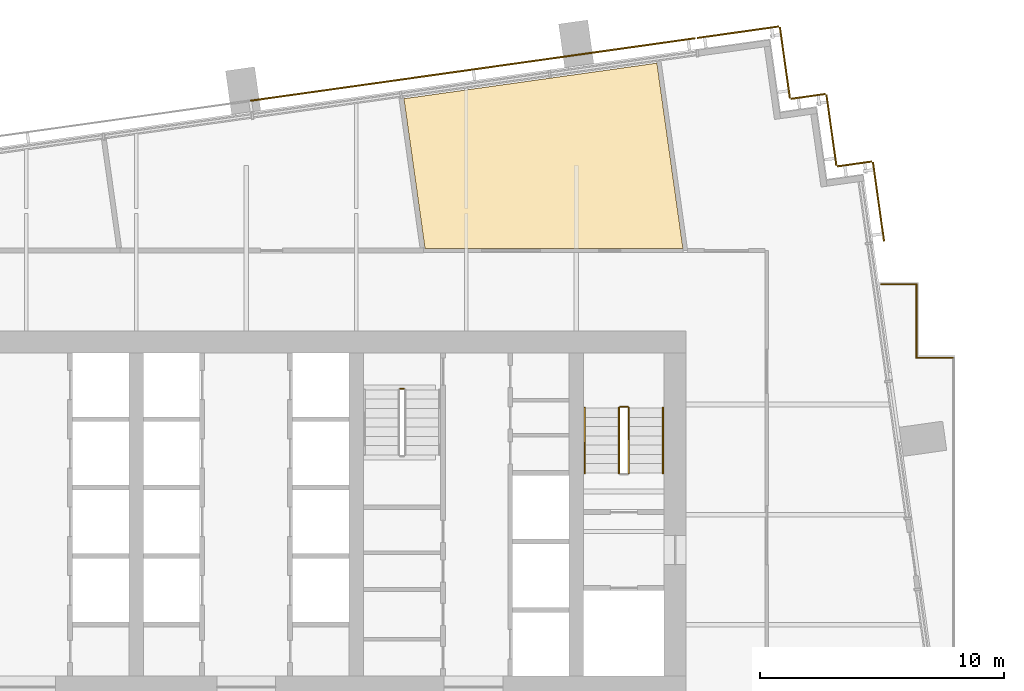
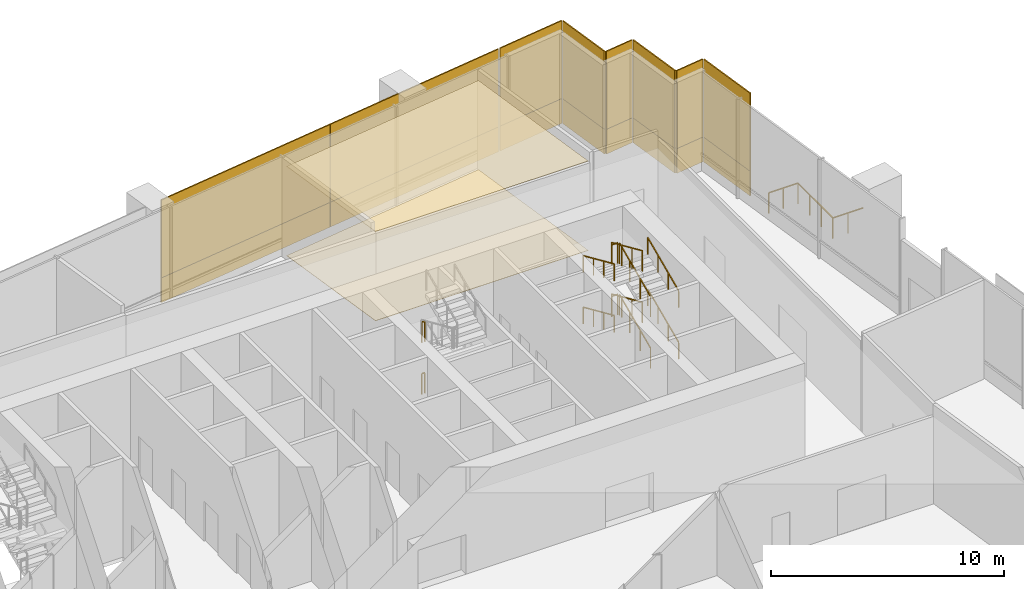
# One storey, part 17 of 17: 18 coverings, 15 railings.
"""IFC4 building model written with IfcOpenShell, lengths in metres."""

import ifcopenshell
import ifcopenshell.guid

model = None  # the IFC model being written
_history = None  # IfcOwnerHistory: only IFC2X3 demands one
_inside = {}  # id of a spatial element -> (the spatial element, [elements in it])
_under = {}  # id of a project, library or spatial element -> (it, [spatial elements below it])
_declared = {}  # id of a project -> (the project, [libraries it declares])
_typed = {}  # id of a type object -> (the type object, [elements of that type])
_made_of = {}  # id of a material, layer set ... -> (it, [elements and type objects made of it])


def new_model(schema):
    """Start an empty IFC model of exactly this schema.

    Asked for "IFC4X3", IfcOpenShell would pick the latest addendum, in which some entities
    have other attributes; the version numbers below select the first issue.
    IFC2X3 requires an IfcOwnerHistory on every rooted entity: one is made here for all.
    """
    global model, _history
    if schema == "IFC4X3":
        model = ifcopenshell.file(schema_version=(4, 3, 0, 0))
    else:
        model = ifcopenshell.file(schema=schema)
    _inside.clear()
    _under.clear()
    _declared.clear()
    _typed.clear()
    _made_of.clear()
    _history = None
    if model.schema == "IFC2X3":
        org = make("IfcOrganization", Name="unknown")
        user = make(
            "IfcPersonAndOrganization",
            ThePerson=make("IfcPerson", FamilyName="unknown"),
            TheOrganization=org,
        )
        app = make(
            "IfcApplication",
            ApplicationDeveloper=org,
            Version="unknown",
            ApplicationFullName="unknown",
            ApplicationIdentifier="unknown",
        )
        _history = make(
            "IfcOwnerHistory",
            OwningUser=user,
            OwningApplication=app,
            ChangeAction="ADDED",
            CreationDate=0,
        )
    return model


def make(cls, **values):
    """One entity of the class cls with the attributes given. An attribute that is None is left unset."""
    return model.create_entity(
        cls, **{name: value for name, value in values.items() if value is not None}
    )


def rooted(cls, **values):
    """An entity with a GlobalId (a new one), such as an element, a storey or a relation."""
    return make(cls, GlobalId=ifcopenshell.guid.new(), OwnerHistory=_history, **values)


def si_unit(unit_type, name, prefix=None):
    """IfcSIUnit, for example si_unit("LENGTHUNIT", "METRE", prefix="MILLI")."""
    return make("IfcSIUnit", UnitType=unit_type, Prefix=prefix, Name=name)


def assignment(units):
    """IfcUnitAssignment: the units of a project."""
    return None if units is None else make("IfcUnitAssignment", Units=units)


def point(xyz):
    """IfcCartesianPoint."""
    return None if xyz is None else make("IfcCartesianPoint", Coordinates=xyz)


def direction(xyz):
    """IfcDirection."""
    return None if xyz is None else make("IfcDirection", DirectionRatios=xyz)


def frame(location, z_axis=None, x_axis=None):
    """IfcAxis2Placement3D, a coordinate frame: its origin and axes. An axis left out is left unset."""
    return make(
        "IfcAxis2Placement3D",
        Location=point(location),
        Axis=direction(z_axis),
        RefDirection=direction(x_axis),
    )


def frame_2d(location, x_axis=None):
    """IfcAxis2Placement2D, a coordinate frame in the plane: its origin and x axis."""
    return make(
        "IfcAxis2Placement2D", Location=point(location), RefDirection=direction(x_axis)
    )


def origin():
    """The frame at (0, 0, 0) with its axes left unset."""
    return frame((0.0, 0.0, 0.0))


def origin_2d():
    """The frame at (0, 0) in the plane with its x axis left unset."""
    return frame_2d((0.0, 0.0))


def place(relative_to, where):
    """IfcLocalPlacement: puts the frame where relative to a parent placement (None: the world)."""
    return make(
        "IfcLocalPlacement", PlacementRelTo=relative_to, RelativePlacement=where
    )


def context(
    kind, dimensions, precision=None, world=None, true_north=None, identifier=None
):
    """IfcGeometricRepresentationContext, for example the 3D "Model" context."""
    return make(
        "IfcGeometricRepresentationContext",
        ContextIdentifier=identifier,
        ContextType=kind,
        CoordinateSpaceDimension=dimensions,
        Precision=precision,
        WorldCoordinateSystem=world,
        TrueNorth=true_north,
    )


def subcontext(parent, identifier, kind, view, scale=None):
    """IfcGeometricRepresentationSubContext, for example "Body" below "Model"."""
    return make(
        "IfcGeometricRepresentationSubContext",
        ContextIdentifier=identifier,
        ContextType=kind,
        ParentContext=parent,
        TargetScale=scale,
        TargetView=view,
    )


def project(units=None, contexts=None):
    """IfcProject with its units and contexts."""
    return rooted(
        "IfcProject",
        Name="project",
        RepresentationContexts=contexts,
        UnitsInContext=assignment(units),
    )


def spatial(cls, under=None, at=None, **own):
    """A site, building, storey or space (cls), placed at a placement, below another one or the project."""
    s = rooted(cls, ObjectPlacement=at, **own)
    if under is not None:
        _under.setdefault(under.id(), (under, []))[1].append(s)
    return s


def polyline(points):
    """IfcPolyline through the points."""
    return make("IfcPolyline", Points=[point(p) for p in points])


def profile(cls, at=None, kind="AREA", **sizes):
    """A parametric profile (cls). Its sizes go by their IFC names, for example OverallWidth=200.0."""
    return make(cls, ProfileType=kind, Position=at, **sizes)


def rectangle(**sizes):
    """IfcRectangleProfileDef."""
    return profile("IfcRectangleProfileDef", **sizes)


def outline(outer, holes=None, kind="AREA"):
    """IfcArbitraryClosedProfileDef: a profile drawn as a closed curve; with holes, ...WithVoids."""
    if holes is None:
        return make("IfcArbitraryClosedProfileDef", ProfileType=kind, OuterCurve=outer)
    return make(
        "IfcArbitraryProfileDefWithVoids",
        ProfileType=kind,
        OuterCurve=outer,
        InnerCurves=holes,
    )


def extrude(swept, where, along, depth):
    """IfcExtrudedAreaSolid: the profile swept, set in the frame where, extruded along a direction by depth."""
    return make(
        "IfcExtrudedAreaSolid",
        SweptArea=swept,
        Position=where,
        ExtrudedDirection=direction(along),
        Depth=depth,
    )


def shape(context_of_items, identifier, shape_type, items):
    """IfcShapeRepresentation: the items that make up one representation, for example the "Body"."""
    return make(
        "IfcShapeRepresentation",
        ContextOfItems=context_of_items,
        RepresentationIdentifier=identifier,
        RepresentationType=shape_type,
        Items=items,
    )


def material(Name=None, Category=None):
    """IfcMaterial."""
    return make("IfcMaterial", Name=Name, Category=Category)


def layer(
    of_material, thickness, ventilated=None, Name=None, Category=None, Priority=None
):
    """IfcMaterialLayer: one layer of a wall or slab, of a material (None: an air gap)."""
    return make(
        "IfcMaterialLayer",
        Material=of_material,
        LayerThickness=thickness,
        IsVentilated=ventilated,
        Name=Name,
        Category=Category,
        Priority=Priority,
    )


def layer_set(layers, Name=None):
    """IfcMaterialLayerSet."""
    return make("IfcMaterialLayerSet", MaterialLayers=layers, LayerSetName=Name)


def made_of(thing, what):
    """Note that an element or type object is made of a material, layer set ...; save() writes the relation."""
    if what is not None:
        _made_of.setdefault(what.id(), (what, []))[1].append(thing)
    return thing


def type_object(cls, material=None, **own):
    """A type object (cls), such as IfcWallType, which elements share."""
    return made_of(rooted(cls, **own), material)


def element(
    cls,
    number,
    at=None,
    inside=None,
    cuts=None,
    type_object=None,
    material=None,
    context=None,
    identifier="Body",
    shape_type=None,
    held_by="IfcProductDefinitionShape",
    body=None,
    shapes=None,
    **own,
):
    """One element of the class cls, such as IfcWall. Its Tag is "e" and its number.

    at: its placement. inside: the storey or other place that contains it. cuts: it is an
    opening in that element (IfcRelVoidsElement). A single representation is given by context,
    identifier, shape_type and body (its items); several are given by shapes. held_by: the class
    of the entity that holds the representations. save() writes the other relations.
    """
    e = rooted(cls, Tag="e%d" % number, ObjectPlacement=at, **own)
    if body is not None:
        shapes = [shape(context, identifier, shape_type, body)]
    if shapes is not None:
        e.Representation = make(held_by, Representations=shapes)
    if inside is not None:
        _inside.setdefault(inside.id(), (inside, []))[1].append(e)
    if cuts is not None:
        rooted(
            "IfcRelVoidsElement", RelatingBuildingElement=cuts, RelatedOpeningElement=e
        )
    if type_object is not None:
        _typed.setdefault(type_object.id(), (type_object, []))[1].append(e)
    return made_of(e, material)


def aggregate(whole, parts):
    """IfcRelAggregates: a whole, such as a stair, and the parts it consists of."""
    return rooted("IfcRelAggregates", RelatingObject=whole, RelatedObjects=parts)


def save(model, path):
    """Write the relations noted so far, then the file.

    IfcRelAggregates (storeys below a building ...), IfcRelContainedInSpatialStructure (elements
    in a storey), IfcRelDefinesByType, IfcRelAssociatesMaterial and IfcRelDeclares: one each for
    every whole, place, type object, material and project.
    """
    for whole, parts in _under.values():
        aggregate(whole, parts)
    for where, things in _inside.values():
        rooted(
            "IfcRelContainedInSpatialStructure",
            RelatedElements=things,
            RelatingStructure=where,
        )
    for kind, things in _typed.values():
        rooted("IfcRelDefinesByType", RelatedObjects=things, RelatingType=kind)
    for what, things in _made_of.values():
        rooted("IfcRelAssociatesMaterial", RelatedObjects=things, RelatingMaterial=what)
    for by, libraries in _declared.values():
        rooted("IfcRelDeclares", RelatingContext=by, RelatedDefinitions=libraries)
    model.write(path)


model = new_model("IFC4")

# Units and contexts
model_context = context("Model", 3, precision=1e-05, world=origin(), true_north=direction((0.0, 1.0)))
body_context = subcontext(model_context, "Body", "Model", "MODEL_VIEW")
ifc_project = project(units=[si_unit("LENGTHUNIT", "METRE"), si_unit("AREAUNIT", "SQUARE_METRE"), si_unit("VOLUMEUNIT", "CUBIC_METRE"), si_unit("PLANEANGLEUNIT", "RADIAN"), si_unit("MASSUNIT", "GRAM", prefix="KILO")], contexts=[model_context])

# Site, building, storey
site_placement = place(None, origin())
site = spatial("IfcSite", under=ifc_project, at=site_placement, CompositionType="ELEMENT")
building_placement = place(site_placement, origin())
building = spatial("IfcBuilding", under=site, at=building_placement, Name="Rattan Terrace Tower", CompositionType="ELEMENT")
storey_placement = place(building_placement, frame((0.0, 0.0, 163.10009765625)))
storey = spatial("IfcBuildingStorey", under=building, at=storey_placement, Name="L37", CompositionType="ELEMENT", Elevation=163.10009765625)

# Railings
ifc_material_1 = material(Name="Powder-coated steel guard", Category="steel")
railing_type_1 = type_object("IfcRailingType", Name="Core stair guard", PredefinedType="GUARDRAIL", material=ifc_material_1)
railing_1_placement = place(storey_placement, frame((15.64990234375, 1.699951171875, 0.168701171875)))
element("IfcRailing", 1, at=railing_1_placement, inside=storey, type_object=railing_type_1, Name="L37 S2 stair guard 1", PredefinedType="GUARDRAIL", context=body_context, shape_type="SweptSolid", body=[
    extrude(rectangle(XDim=0.048095703125, YDim=0.048095703125, at=origin_2d()), frame((0.0, 0.0, 1.076171875), z_axis=(0.0, 0.913956766905, 0.405811567391), x_axis=(-1.0, 0.0, 0.0)), (0.0, 0.0, 1.0), 2.91064453125),
    extrude(rectangle(XDim=0.0419921875, YDim=0.0419921875, at=origin_2d()), origin(), (0.0, 0.0, 1.0), 1.052001953125),
    extrude(rectangle(XDim=0.0419921875, YDim=0.0419921875, at=origin_2d()), frame((0.0, 0.88671875, 0.393798828125)), (0.0, 0.0, 1.0), 1.052001953125),
    extrude(rectangle(XDim=0.0419921875, YDim=0.0419921875, at=origin_2d()), frame((0.0, 1.7734375, 0.787353515625)), (0.0, 0.0, 1.0), 1.052001953125),
    extrude(rectangle(XDim=0.0419921875, YDim=0.0419921875, at=origin_2d()), frame((0.0, 2.66015625, 1.18115234375)), (0.0, 0.0, 1.0), 1.052001953125),
])
railing_2_placement = place(storey_placement, frame((15.60009765625, 4.409912109375, 1.349853515625)))
element("IfcRailing", 2, at=railing_2_placement, inside=storey, type_object=railing_type_1, Name="L37 S2 stair guard 2", PredefinedType="GUARDRAIL", context=body_context, shape_type="SweptSolid", body=[
    extrude(rectangle(XDim=0.048095703125, YDim=0.048095703125, at=origin_2d()), frame((0.0, 0.0, 1.076171875), z_axis=(-1.0, 0.0, 0.0), x_axis=(0.0, -1.0, 0.0)), (0.0, 0.0, 1.0), 0.300048828125),
    extrude(rectangle(XDim=0.0419921875, YDim=0.0419921875, at=origin_2d()), origin(), (0.0, 0.0, 1.0), 1.052001953125),
    extrude(rectangle(XDim=0.0419921875, YDim=0.0419921875, at=origin_2d()), frame((-0.300048828125, 0.0, 0.0)), (0.0, 0.0, 1.0), 1.052001953125),
])
railing_3_placement = place(storey_placement, frame((15.25, 4.360107421875, 1.5185546875)))
element("IfcRailing", 3, at=railing_3_placement, inside=storey, type_object=railing_type_1, Name="L37 S2 stair guard 3", PredefinedType="GUARDRAIL", context=body_context, shape_type="SweptSolid", body=[
    extrude(rectangle(XDim=0.048095703125, YDim=0.048095703125, at=origin_2d()), frame((0.0, 0.0, 1.076171875), z_axis=(0.0, -0.913925654661, 0.405881630223), x_axis=(1.0, 0.0, 0.0)), (0.0, 0.0, 1.0), 2.91064453125),
    extrude(rectangle(XDim=0.0419921875, YDim=0.0419921875, at=origin_2d()), origin(), (0.0, 0.0, 1.0), 1.052001953125),
    extrude(rectangle(XDim=0.0419921875, YDim=0.0419921875, at=origin_2d()), frame((0.0, -0.88671875, 0.393798828125)), (0.0, 0.0, 1.0), 1.052001953125),
    extrude(rectangle(XDim=0.0419921875, YDim=0.0419921875, at=origin_2d()), frame((0.0, -1.7734375, 0.78759765625)), (0.0, 0.0, 1.0), 1.052001953125),
    extrude(rectangle(XDim=0.0419921875, YDim=0.0419921875, at=origin_2d()), frame((0.0, -2.66015625, 1.181396484375)), (0.0, 0.0, 1.0), 1.052001953125),
])
railing_4_placement = place(storey_placement, frame((15.64990234375, 1.699951171875, 2.86865234375)))
element("IfcRailing", 4, at=railing_4_placement, inside=storey, type_object=railing_type_1, Name="L37 S2 stair guard 5", PredefinedType="GUARDRAIL", context=body_context, shape_type="SweptSolid", body=[
    extrude(rectangle(XDim=0.048095703125, YDim=0.048095703125, at=origin_2d()), frame((0.0, 0.0, 1.076171875), z_axis=(0.0, 0.913956766905, 0.405811567391), x_axis=(-1.0, 0.0, 0.0)), (0.0, 0.0, 1.0), 2.91064453125),
    extrude(rectangle(XDim=0.0419921875, YDim=0.0419921875, at=origin_2d()), origin(), (0.0, 0.0, 1.0), 1.052001953125),
    extrude(rectangle(XDim=0.0419921875, YDim=0.0419921875, at=origin_2d()), frame((0.0, 0.88671875, 0.393798828125)), (0.0, 0.0, 1.0), 1.052001953125),
    extrude(rectangle(XDim=0.0419921875, YDim=0.0419921875, at=origin_2d()), frame((0.0, 1.7734375, 0.787353515625)), (0.0, 0.0, 1.0), 1.052001953125),
    extrude(rectangle(XDim=0.0419921875, YDim=0.0419921875, at=origin_2d()), frame((0.0, 2.66015625, 1.18115234375)), (0.0, 0.0, 1.0), 1.052001953125),
])
railing_5_placement = place(storey_placement, frame((15.60009765625, 4.409912109375, 4.0498046875)))
element("IfcRailing", 5, at=railing_5_placement, inside=storey, type_object=railing_type_1, Name="L37 S2 stair guard 6", PredefinedType="GUARDRAIL", context=body_context, shape_type="SweptSolid", body=[
    extrude(rectangle(XDim=0.048095703125, YDim=0.048095703125, at=origin_2d()), frame((0.0, 0.0, 1.076171875), z_axis=(-1.0, 0.0, 0.0), x_axis=(0.0, -1.0, 0.0)), (0.0, 0.0, 1.0), 0.300048828125),
    extrude(rectangle(XDim=0.0419921875, YDim=0.0419921875, at=origin_2d()), origin(), (0.0, 0.0, 1.0), 1.052001953125),
    extrude(rectangle(XDim=0.0419921875, YDim=0.0419921875, at=origin_2d()), frame((-0.300048828125, 0.0, 0.0)), (0.0, 0.0, 1.0), 1.052001953125),
])
railing_6_placement = place(storey_placement, frame((15.25, 4.360107421875, 4.21875)))
element("IfcRailing", 6, at=railing_6_placement, inside=storey, type_object=railing_type_1, Name="L37 S2 stair guard 7", PredefinedType="GUARDRAIL", context=body_context, shape_type="SweptSolid", body=[
    extrude(rectangle(XDim=0.048095703125, YDim=0.048095703125, at=origin_2d()), frame((0.0, 0.0, 1.076171875), z_axis=(0.0, -0.913956766905, 0.405811567391), x_axis=(1.0, 0.0, 0.0)), (0.0, 0.0, 1.0), 2.91064453125),
    extrude(rectangle(XDim=0.0419921875, YDim=0.0419921875, at=origin_2d()), origin(), (0.0, 0.0, 1.0), 1.052001953125),
    extrude(rectangle(XDim=0.0419921875, YDim=0.0419921875, at=origin_2d()), frame((0.0, -0.88671875, 0.393798828125)), (0.0, 0.0, 1.0), 1.052001953125),
    extrude(rectangle(XDim=0.0419921875, YDim=0.0419921875, at=origin_2d()), frame((0.0, -1.7734375, 0.787353515625)), (0.0, 0.0, 1.0), 1.052001953125),
    extrude(rectangle(XDim=0.0419921875, YDim=0.0419921875, at=origin_2d()), frame((0.0, -2.66015625, 1.18115234375)), (0.0, 0.0, 1.0), 1.052001953125),
])
for number, where, name in (
    (7, (6.300048828125, 5.14990234375, 2.699951171875), "L37 S3 stair guard 4"),
    (8, (6.300048828125, 5.14990234375, 0.0), "L37 S3 stair guard 8"),
):
    element("IfcRailing", number, at=place(storey_placement, frame(where)), inside=storey, type_object=railing_type_1, Name=name, PredefinedType="GUARDRAIL", context=body_context, shape_type="SweptSolid", body=[
        extrude(rectangle(XDim=0.048095703125, YDim=0.048095703125, at=origin_2d()), frame((0.0, 0.0, 1.076171875), z_axis=(1.0, 0.0, 0.0), x_axis=(0.0, 1.0, 0.0)), (0.0, 0.0, 1.0), 0.14990234375),
        extrude(rectangle(XDim=0.0419921875, YDim=0.0419921875, at=origin_2d()), origin(), (0.0, 0.0, 1.0), 1.052001953125),
        extrude(rectangle(XDim=0.0419921875, YDim=0.0419921875, at=origin_2d()), frame((0.14990234375, 0.0, 0.0)), (0.0, 0.0, 1.0), 1.052001953125),
    ])
ifc_material_2 = material(Name="Powder-coated steel handrail", Category="steel")
railing_type_2 = type_object("IfcRailingType", Name="Core stair handrail", PredefinedType="HANDRAIL", material=ifc_material_2)
railing_7_placement = place(storey_placement, frame((17.050048828125, 1.699951171875, 0.168701171875)))
element("IfcRailing", 9, at=railing_7_placement, inside=storey, type_object=railing_type_2, Name="L37 S2 stair handrail 1", PredefinedType="HANDRAIL", context=body_context, shape_type="SweptSolid", body=[
    extrude(rectangle(XDim=0.048095703125, YDim=0.048095703125, at=origin_2d()), frame((0.0, 0.0, 0.8759765625), z_axis=(0.0, 0.913956766905, 0.405811567391), x_axis=(-1.0, 0.0, 0.0)), (0.0, 0.0, 1.0), 2.91064453125),
    extrude(rectangle(XDim=0.0419921875, YDim=0.0419921875, at=origin_2d()), origin(), (0.0, 0.0, 1.0), 0.851806640625),
    extrude(rectangle(XDim=0.0419921875, YDim=0.0419921875, at=origin_2d()), frame((0.0, 0.88671875, 0.393798828125)), (0.0, 0.0, 1.0), 0.851806640625),
    extrude(rectangle(XDim=0.0419921875, YDim=0.0419921875, at=origin_2d()), frame((0.0, 1.7734375, 0.787353515625)), (0.0, 0.0, 1.0), 0.851806640625),
    extrude(rectangle(XDim=0.0419921875, YDim=0.0419921875, at=origin_2d()), frame((0.0, 2.66015625, 1.18115234375)), (0.0, 0.0, 1.0), 0.851806640625),
])
railing_8_placement = place(storey_placement, frame((13.85009765625, 4.360107421875, 1.5185546875)))
element("IfcRailing", 10, at=railing_8_placement, inside=storey, type_object=railing_type_2, Name="L37 S2 stair handrail 2", PredefinedType="HANDRAIL", context=body_context, shape_type="SweptSolid", body=[
    extrude(rectangle(XDim=0.048095703125, YDim=0.048095703125, at=origin_2d()), frame((0.0, 0.0, 0.8759765625), z_axis=(0.0, -0.913925654661, 0.405881630223), x_axis=(1.0, 0.0, 0.0)), (0.0, 0.0, 1.0), 2.91064453125),
    extrude(rectangle(XDim=0.0419921875, YDim=0.0419921875, at=origin_2d()), origin(), (0.0, 0.0, 1.0), 0.851806640625),
    extrude(rectangle(XDim=0.0419921875, YDim=0.0419921875, at=origin_2d()), frame((0.0, -0.88671875, 0.393798828125)), (0.0, 0.0, 1.0), 0.851806640625),
    extrude(rectangle(XDim=0.0419921875, YDim=0.0419921875, at=origin_2d()), frame((0.0, -1.7734375, 0.78759765625)), (0.0, 0.0, 1.0), 0.851806640625),
    extrude(rectangle(XDim=0.0419921875, YDim=0.0419921875, at=origin_2d()), frame((0.0, -2.66015625, 1.181396484375)), (0.0, 0.0, 1.0), 0.851806640625),
])
railing_9_placement = place(storey_placement, frame((17.050048828125, 1.699951171875, 2.86865234375)))
element("IfcRailing", 11, at=railing_9_placement, inside=storey, type_object=railing_type_2, Name="L37 S2 stair handrail 3", PredefinedType="HANDRAIL", context=body_context, shape_type="SweptSolid", body=[
    extrude(rectangle(XDim=0.048095703125, YDim=0.048095703125, at=origin_2d()), frame((0.0, 0.0, 0.8759765625), z_axis=(0.0, 0.913956766905, 0.405811567391), x_axis=(-1.0, 0.0, 0.0)), (0.0, 0.0, 1.0), 2.91064453125),
    extrude(rectangle(XDim=0.0419921875, YDim=0.0419921875, at=origin_2d()), origin(), (0.0, 0.0, 1.0), 0.851806640625),
    extrude(rectangle(XDim=0.0419921875, YDim=0.0419921875, at=origin_2d()), frame((0.0, 0.88671875, 0.393798828125)), (0.0, 0.0, 1.0), 0.851806640625),
    extrude(rectangle(XDim=0.0419921875, YDim=0.0419921875, at=origin_2d()), frame((0.0, 1.7734375, 0.787353515625)), (0.0, 0.0, 1.0), 0.851806640625),
    extrude(rectangle(XDim=0.0419921875, YDim=0.0419921875, at=origin_2d()), frame((0.0, 2.66015625, 1.18115234375)), (0.0, 0.0, 1.0), 0.851806640625),
])
railing_10_placement = place(storey_placement, frame((13.85009765625, 4.360107421875, 4.21875)))
element("IfcRailing", 12, at=railing_10_placement, inside=storey, type_object=railing_type_2, Name="L37 S2 stair handrail 4", PredefinedType="HANDRAIL", context=body_context, shape_type="SweptSolid", body=[
    extrude(rectangle(XDim=0.048095703125, YDim=0.048095703125, at=origin_2d()), frame((0.0, 0.0, 0.8759765625), z_axis=(0.0, -0.913956766905, 0.405811567391), x_axis=(1.0, 0.0, 0.0)), (0.0, 0.0, 1.0), 2.91064453125),
    extrude(rectangle(XDim=0.0419921875, YDim=0.0419921875, at=origin_2d()), origin(), (0.0, 0.0, 1.0), 0.851806640625),
    extrude(rectangle(XDim=0.0419921875, YDim=0.0419921875, at=origin_2d()), frame((0.0, -0.88671875, 0.393798828125)), (0.0, 0.0, 1.0), 0.851806640625),
    extrude(rectangle(XDim=0.0419921875, YDim=0.0419921875, at=origin_2d()), frame((0.0, -1.7734375, 0.787353515625)), (0.0, 0.0, 1.0), 0.851806640625),
    extrude(rectangle(XDim=0.0419921875, YDim=0.0419921875, at=origin_2d()), frame((0.0, -2.66015625, 1.18115234375)), (0.0, 0.0, 1.0), 0.851806640625),
])
ifc_material_3 = material(Name="Stainless steel 316", Category="steel")
railing_type_3 = type_object("IfcRailingType", Name="Facade Guard 1100", PredefinedType="GUARDRAIL", material=ifc_material_3)
railing_11_placement = place(storey_placement, frame((25.969970703125, 9.419921875, 0.0)))
element("IfcRailing", 13, at=railing_11_placement, inside=storey, type_object=railing_type_3, Name="Terrace guard L37-1-1", PredefinedType="GUARDRAIL", context=body_context, shape_type="SweptSolid", body=[
    extrude(rectangle(XDim=0.048095703125, YDim=0.048095703125, at=origin_2d()), frame((0.0, 0.0, 1.076171875), z_axis=(1.0, 0.0, 0.0), x_axis=(0.0, 1.0, 0.0)), (0.0, 0.0, 1.0), 1.449951171875),
    extrude(rectangle(XDim=0.0419921875, YDim=0.0419921875, at=origin_2d()), origin(), (0.0, 0.0, 1.0), 1.052001953125),
    extrude(rectangle(XDim=0.0419921875, YDim=0.0419921875, at=origin_2d()), frame((0.72509765625, 0.0, 0.0)), (0.0, 0.0, 1.0), 1.052001953125),
])
railing_12_placement = place(storey_placement, frame((27.419921875, 9.419921875, 0.0)))
element("IfcRailing", 14, at=railing_12_placement, inside=storey, type_object=railing_type_3, Name="Terrace guard L37-1-2", PredefinedType="GUARDRAIL", context=body_context, shape_type="SweptSolid", body=[
    extrude(rectangle(XDim=0.048095703125, YDim=0.048095703125, at=origin_2d()), frame((0.0, 0.0, 1.076171875), z_axis=(0.0, -1.0, 0.0), x_axis=(1.0, 0.0, 0.0)), (0.0, 0.0, 1.0), 3.0),
    extrude(rectangle(XDim=0.0419921875, YDim=0.0419921875, at=origin_2d()), origin(), (0.0, 0.0, 1.0), 1.052001953125),
    extrude(rectangle(XDim=0.0419921875, YDim=0.0419921875, at=origin_2d()), frame((0.0, -1.0, 0.0)), (0.0, 0.0, 1.0), 1.052001953125),
    extrude(rectangle(XDim=0.0419921875, YDim=0.0419921875, at=origin_2d()), frame((0.0, -2.0, 0.0)), (0.0, 0.0, 1.0), 1.052001953125),
])
railing_13_placement = place(storey_placement, frame((27.419921875, 6.419921875, 0.0)))
element("IfcRailing", 15, at=railing_13_placement, inside=storey, type_object=railing_type_3, Name="Terrace guard L37-1-3", PredefinedType="GUARDRAIL", context=body_context, shape_type="SweptSolid", body=[
    extrude(rectangle(XDim=0.048095703125, YDim=0.048095703125, at=origin_2d()), frame((0.0, 0.0, 1.076171875), z_axis=(1.0, 0.0, 0.0), x_axis=(0.0, 1.0, 0.0)), (0.0, 0.0, 1.0), 1.5),
    extrude(rectangle(XDim=0.0419921875, YDim=0.0419921875, at=origin_2d()), origin(), (0.0, 0.0, 1.0), 1.052001953125),
    extrude(rectangle(XDim=0.0419921875, YDim=0.0419921875, at=origin_2d()), frame((0.75, 0.0, 0.0)), (0.0, 0.0, 1.0), 1.052001953125),
])

# Coverings
ifc_material_4 = material(Name="Solid terracotta", Category="masonry")
ifc_layer_1 = layer(ifc_material_4, 0.06005859375)
ifc_layer_set_1 = layer_set([ifc_layer_1], Name="Facade Terracotta Band Panel")
covering_type_1 = type_object("IfcCoveringType", Name="Facade Terracotta Band Panel", PredefinedType="CLADDING", material=ifc_layer_set_1)
covering_1_placement = place(storey_placement, frame((25.86376953125, 12.79833984375, -0.18994140625), z_axis=(0.0, 0.0, 1.0), x_axis=(-0.139190856006, 0.99026557327, 0.0)))
element("IfcCovering", 16, at=covering_1_placement, inside=storey, type_object=covering_type_1, Name="OUTER SKIN panel L37-3A", PredefinedType="CLADDING", context=body_context, shape_type="SweptSolid", body=[
    extrude(rectangle(XDim=3.25048828125, YDim=0.06005859375, at=origin_2d()), origin(), (0.0, 0.0, 1.0), 1.300048828125),
])
covering_2_placement = place(storey_placement, frame((24.889404296875, 14.3427734375, -0.18994140625), z_axis=(0.0, 0.0, 1.0), x_axis=(-0.990240767803, -0.139367219175, 0.0)))
element("IfcCovering", 17, at=covering_2_placement, inside=storey, type_object=covering_type_1, Name="OUTER SKIN panel L37-4A", PredefinedType="CLADDING", context=body_context, shape_type="SweptSolid", body=[
    extrude(rectangle(XDim=1.419677734375, YDim=0.06005859375, at=origin_2d()), origin(), (0.0, 0.0, 1.0), 1.300048828125),
])
covering_3_placement = place(storey_placement, frame((23.93798828125, 15.723876953125, -0.18994140625), z_axis=(0.0, 0.0, 1.0), x_axis=(-0.139321220646, 0.990247240581, 0.0)))
element("IfcCovering", 18, at=covering_3_placement, inside=storey, type_object=covering_type_1, Name="OUTER SKIN panel L37-5A", PredefinedType="CLADDING", context=body_context, shape_type="SweptSolid", body=[
    extrude(rectangle(XDim=2.920166015625, YDim=0.06005859375, at=origin_2d()), origin(), (0.0, 0.0, 1.0), 1.300048828125),
])
covering_4_placement = place(storey_placement, frame((22.986328125, 17.104736328125, -0.18994140625), z_axis=(0.0, 0.0, 1.0), x_axis=(-0.990240767803, -0.139367219175, 0.0)))
element("IfcCovering", 19, at=covering_4_placement, inside=storey, type_object=covering_type_1, Name="OUTER SKIN panel L37-6A", PredefinedType="CLADDING", context=body_context, shape_type="SweptSolid", body=[
    extrude(rectangle(XDim=1.419677734375, YDim=0.06005859375, at=origin_2d()), origin(), (0.0, 0.0, 1.0), 1.300048828125),
])
covering_5_placement = place(storey_placement, frame((22.034912109375, 18.48583984375, -0.18994140625), z_axis=(0.0, 0.0, 1.0), x_axis=(-0.139321220646, 0.990247240581, 0.0)))
element("IfcCovering", 20, at=covering_5_placement, inside=storey, type_object=covering_type_1, Name="OUTER SKIN panel L37-7A", PredefinedType="CLADDING", context=body_context, shape_type="SweptSolid", body=[
    extrude(rectangle(XDim=2.920166015625, YDim=0.06005859375, at=origin_2d()), origin(), (0.0, 0.0, 1.0), 1.300048828125),
])
covering_6_placement = place(storey_placement, frame((20.1181640625, 19.73095703125, -0.18994140625), z_axis=(0.0, 0.0, 1.0), x_axis=(-0.990240767803, -0.139367219175, 0.0)))
element("IfcCovering", 21, at=covering_6_placement, inside=storey, type_object=covering_type_1, Name="OUTER SKIN panel L37-8A", PredefinedType="CLADDING", context=body_context, shape_type="SweptSolid", body=[
    extrude(rectangle(XDim=3.369140625, YDim=0.06005859375, at=origin_2d()), origin(), (0.0, 0.0, 1.0), 1.300048828125),
])
covering_7_placement = place(storey_placement, frame((13.833740234375, 18.847412109375, -0.18994140625), z_axis=(0.0, 0.0, 1.0), x_axis=(-0.990269702686, -0.139161474347, 0.0)))
element("IfcCovering", 22, at=covering_7_placement, inside=storey, type_object=covering_type_1, Name="OUTER SKIN panel L37-9A", PredefinedType="CLADDING", context=body_context, shape_type="SweptSolid", body=[
    extrude(rectangle(XDim=9.162841796875, YDim=0.06005859375, at=origin_2d()), origin(), (0.0, 0.0, 1.0), 1.300048828125),
])
covering_8_placement = place(storey_placement, frame((4.725341796875, 17.5673828125, -0.18994140625), z_axis=(0.0, 0.0, 1.0), x_axis=(-0.990269702686, -0.139161474347, 0.0)))
element("IfcCovering", 23, at=covering_8_placement, inside=storey, type_object=covering_type_1, Name="OUTER SKIN panel L37-10A", PredefinedType="CLADDING", context=body_context, shape_type="SweptSolid", body=[
    extrude(rectangle(XDim=9.193115234375, YDim=0.06005859375, at=origin_2d()), origin(), (0.0, 0.0, 1.0), 1.300048828125),
])
ifc_material_5 = material(Name="Perforated terracotta", Category="masonry")
ifc_layer_2 = layer(ifc_material_5, 0.06005859375)
ifc_layer_set_2 = layer_set([ifc_layer_2], Name="Facade Terracotta Screen Panel")
covering_type_2 = type_object("IfcCoveringType", Name="Facade Terracotta Screen Panel", PredefinedType="CLADDING", material=ifc_layer_set_2)
covering_9_placement = place(storey_placement, frame((25.86376953125, 12.79833984375, 1.10986328125), z_axis=(0.0, 0.0, 1.0), x_axis=(-0.139190856006, 0.99026557327, 0.0)))
element("IfcCovering", 24, at=covering_9_placement, inside=storey, type_object=covering_type_2, Name="OUTER SKIN panel L37-3B", PredefinedType="CLADDING", context=body_context, shape_type="SweptSolid", body=[
    extrude(rectangle(XDim=3.25048828125, YDim=0.06005859375, at=origin_2d()), origin(), (0.0, 0.0, 1.0), 4.080078125),
])
covering_10_placement = place(storey_placement, frame((24.889404296875, 14.3427734375, 1.10986328125), z_axis=(0.0, 0.0, 1.0), x_axis=(-0.990240767803, -0.139367219175, 0.0)))
element("IfcCovering", 25, at=covering_10_placement, inside=storey, type_object=covering_type_2, Name="OUTER SKIN panel L37-4B", PredefinedType="CLADDING", context=body_context, shape_type="SweptSolid", body=[
    extrude(rectangle(XDim=1.419677734375, YDim=0.06005859375, at=origin_2d()), origin(), (0.0, 0.0, 1.0), 4.080078125),
])
covering_11_placement = place(storey_placement, frame((23.93798828125, 15.723876953125, 1.10986328125), z_axis=(0.0, 0.0, 1.0), x_axis=(-0.139321220646, 0.990247240581, 0.0)))
element("IfcCovering", 26, at=covering_11_placement, inside=storey, type_object=covering_type_2, Name="OUTER SKIN panel L37-5B", PredefinedType="CLADDING", context=body_context, shape_type="SweptSolid", body=[
    extrude(rectangle(XDim=2.920166015625, YDim=0.06005859375, at=origin_2d()), origin(), (0.0, 0.0, 1.0), 4.080078125),
])
covering_12_placement = place(storey_placement, frame((22.986328125, 17.104736328125, 1.10986328125), z_axis=(0.0, 0.0, 1.0), x_axis=(-0.990240767803, -0.139367219175, 0.0)))
element("IfcCovering", 27, at=covering_12_placement, inside=storey, type_object=covering_type_2, Name="OUTER SKIN panel L37-6B", PredefinedType="CLADDING", context=body_context, shape_type="SweptSolid", body=[
    extrude(rectangle(XDim=1.419677734375, YDim=0.06005859375, at=origin_2d()), origin(), (0.0, 0.0, 1.0), 4.080078125),
])
covering_13_placement = place(storey_placement, frame((22.034912109375, 18.48583984375, 1.10986328125), z_axis=(0.0, 0.0, 1.0), x_axis=(-0.139321220646, 0.990247240581, 0.0)))
element("IfcCovering", 28, at=covering_13_placement, inside=storey, type_object=covering_type_2, Name="OUTER SKIN panel L37-7B", PredefinedType="CLADDING", context=body_context, shape_type="SweptSolid", body=[
    extrude(rectangle(XDim=2.920166015625, YDim=0.06005859375, at=origin_2d()), origin(), (0.0, 0.0, 1.0), 4.080078125),
])
covering_14_placement = place(storey_placement, frame((20.1181640625, 19.73095703125, 1.10986328125), z_axis=(0.0, 0.0, 1.0), x_axis=(-0.990240767803, -0.139367219175, 0.0)))
element("IfcCovering", 29, at=covering_14_placement, inside=storey, type_object=covering_type_2, Name="OUTER SKIN panel L37-8B", PredefinedType="CLADDING", context=body_context, shape_type="SweptSolid", body=[
    extrude(rectangle(XDim=3.369140625, YDim=0.06005859375, at=origin_2d()), origin(), (0.0, 0.0, 1.0), 4.080078125),
])
covering_15_placement = place(storey_placement, frame((13.833740234375, 18.847412109375, 1.10986328125), z_axis=(0.0, 0.0, 1.0), x_axis=(-0.990269702686, -0.139161474347, 0.0)))
element("IfcCovering", 30, at=covering_15_placement, inside=storey, type_object=covering_type_2, Name="OUTER SKIN panel L37-9B", PredefinedType="CLADDING", context=body_context, shape_type="SweptSolid", body=[
    extrude(rectangle(XDim=9.162841796875, YDim=0.06005859375, at=origin_2d()), origin(), (0.0, 0.0, 1.0), 4.080078125),
])
covering_16_placement = place(storey_placement, frame((4.725341796875, 17.5673828125, 1.10986328125), z_axis=(0.0, 0.0, 1.0), x_axis=(-0.990269702686, -0.139161474347, 0.0)))
element("IfcCovering", 31, at=covering_16_placement, inside=storey, type_object=covering_type_2, Name="OUTER SKIN panel L37-10B", PredefinedType="CLADDING", context=body_context, shape_type="SweptSolid", body=[
    extrude(rectangle(XDim=9.193115234375, YDim=0.06005859375, at=origin_2d()), origin(), (0.0, 0.0, 1.0), 4.080078125),
])
ifc_material_6 = material(Name="Polished limestone", Category="masonry")
ifc_layer_3 = layer(ifc_material_6, 0.02001953125)
ifc_layer_set_3 = layer_set([ifc_layer_3], Name="Lobby Floor Finish Stone 20")
covering_type_3 = type_object("IfcCoveringType", Name="Lobby Floor Finish Stone 20", PredefinedType="FLOORING", material=ifc_layer_set_3)
covering_17_placement = place(storey_placement, origin())
element("IfcCovering", 32, at=covering_17_placement, inside=storey, type_object=covering_type_3, Name="Floor finish L37-105", PredefinedType="FLOORING", context=body_context, shape_type="SweptSolid", body=[
    extrude(outline(polyline([(17.866943359375, 10.875), (16.801025390625, 18.466064453125), (6.452880859375, 17.011962890625), (7.31689453125, 10.875), (17.866943359375, 10.875)])), origin(), (0.0, 0.0, 1.0), 0.02001953125),
])
ifc_material_7 = material(Name="Gypsum board, painted")
ifc_layer_4 = layer(ifc_material_7, 0.02490234375)
ifc_layer_set_4 = layer_set([ifc_layer_4], Name="Suspended Ceiling Gypsum 25")
covering_type_4 = type_object("IfcCoveringType", Name="Suspended Ceiling Gypsum 25", PredefinedType="CEILING", material=ifc_layer_set_4)
covering_18_placement = place(storey_placement, frame((0.0, 0.0, 4.6748046875)))
element("IfcCovering", 33, at=covering_18_placement, inside=storey, type_object=covering_type_4, Name="Ceiling L37-105", PredefinedType="CEILING", context=body_context, shape_type="SweptSolid", body=[
    extrude(outline(polyline([(17.866943359375, 10.875), (16.801025390625, 18.466064453125), (6.452880859375, 17.011962890625), (7.31689453125, 10.875), (17.866943359375, 10.875)])), origin(), (0.0, 0.0, 1.0), 0.025146484375),
])

save(model, "model.ifc")
